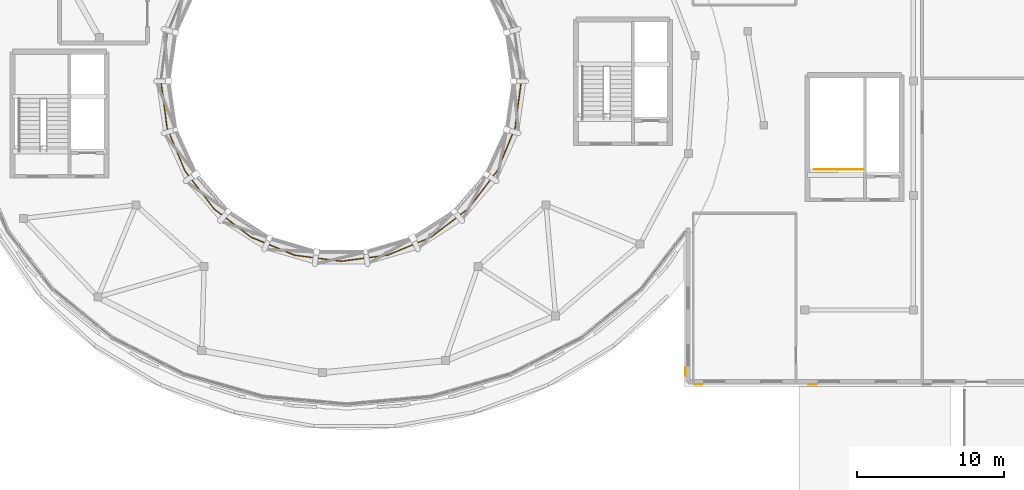
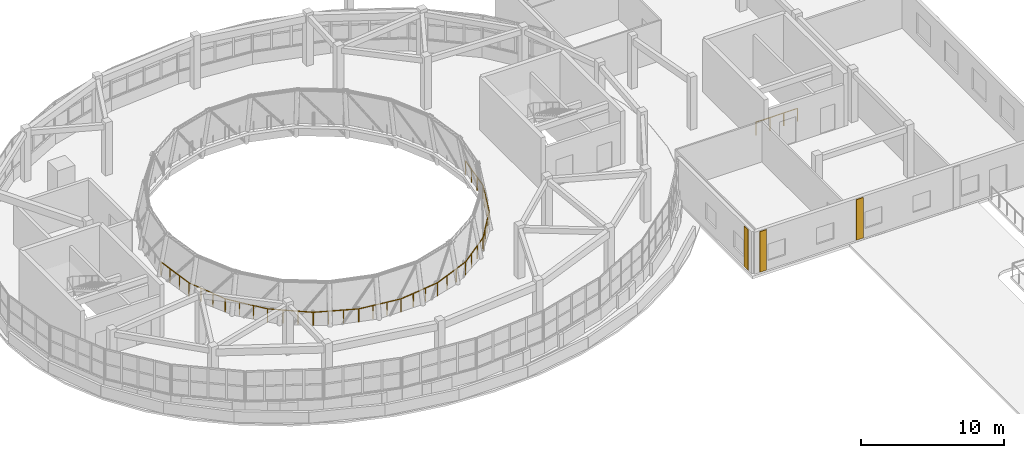
# One storey, part 41 of 46: 3 coverings, 2 railings.
"""IFC4 building model written with IfcOpenShell, lengths in metres."""

import ifcopenshell
import ifcopenshell.guid

model = None  # the IFC model being written
_history = None  # IfcOwnerHistory: only IFC2X3 demands one
_inside = {}  # id of a spatial element -> (the spatial element, [elements in it])
_under = {}  # id of a project, library or spatial element -> (it, [spatial elements below it])
_declared = {}  # id of a project -> (the project, [libraries it declares])
_typed = {}  # id of a type object -> (the type object, [elements of that type])
_made_of = {}  # id of a material, layer set ... -> (it, [elements and type objects made of it])


def new_model(schema):
    """Start an empty IFC model of exactly this schema.

    Asked for "IFC4X3", IfcOpenShell would pick the latest addendum, in which some entities
    have other attributes; the version numbers below select the first issue.
    IFC2X3 requires an IfcOwnerHistory on every rooted entity: one is made here for all.
    """
    global model, _history
    if schema == "IFC4X3":
        model = ifcopenshell.file(schema_version=(4, 3, 0, 0))
    else:
        model = ifcopenshell.file(schema=schema)
    _inside.clear()
    _under.clear()
    _declared.clear()
    _typed.clear()
    _made_of.clear()
    _history = None
    if model.schema == "IFC2X3":
        org = make("IfcOrganization", Name="unknown")
        user = make(
            "IfcPersonAndOrganization",
            ThePerson=make("IfcPerson", FamilyName="unknown"),
            TheOrganization=org,
        )
        app = make(
            "IfcApplication",
            ApplicationDeveloper=org,
            Version="unknown",
            ApplicationFullName="unknown",
            ApplicationIdentifier="unknown",
        )
        _history = make(
            "IfcOwnerHistory",
            OwningUser=user,
            OwningApplication=app,
            ChangeAction="ADDED",
            CreationDate=0,
        )
    return model


def make(cls, **values):
    """One entity of the class cls with the attributes given. An attribute that is None is left unset."""
    return model.create_entity(
        cls, **{name: value for name, value in values.items() if value is not None}
    )


def rooted(cls, **values):
    """An entity with a GlobalId (a new one), such as an element, a storey or a relation."""
    return make(cls, GlobalId=ifcopenshell.guid.new(), OwnerHistory=_history, **values)


def si_unit(unit_type, name, prefix=None):
    """IfcSIUnit, for example si_unit("LENGTHUNIT", "METRE", prefix="MILLI")."""
    return make("IfcSIUnit", UnitType=unit_type, Prefix=prefix, Name=name)


def assignment(units):
    """IfcUnitAssignment: the units of a project."""
    return None if units is None else make("IfcUnitAssignment", Units=units)


def point(xyz):
    """IfcCartesianPoint."""
    return None if xyz is None else make("IfcCartesianPoint", Coordinates=xyz)


def direction(xyz):
    """IfcDirection."""
    return None if xyz is None else make("IfcDirection", DirectionRatios=xyz)


def frame(location, z_axis=None, x_axis=None):
    """IfcAxis2Placement3D, a coordinate frame: its origin and axes. An axis left out is left unset."""
    return make(
        "IfcAxis2Placement3D",
        Location=point(location),
        Axis=direction(z_axis),
        RefDirection=direction(x_axis),
    )


def frame_2d(location, x_axis=None):
    """IfcAxis2Placement2D, a coordinate frame in the plane: its origin and x axis."""
    return make(
        "IfcAxis2Placement2D", Location=point(location), RefDirection=direction(x_axis)
    )


def origin():
    """The frame at (0, 0, 0) with its axes left unset."""
    return frame((0.0, 0.0, 0.0))


def origin_2d():
    """The frame at (0, 0) in the plane with its x axis left unset."""
    return frame_2d((0.0, 0.0))


def place(relative_to, where):
    """IfcLocalPlacement: puts the frame where relative to a parent placement (None: the world)."""
    return make(
        "IfcLocalPlacement", PlacementRelTo=relative_to, RelativePlacement=where
    )


def context(
    kind, dimensions, precision=None, world=None, true_north=None, identifier=None
):
    """IfcGeometricRepresentationContext, for example the 3D "Model" context."""
    return make(
        "IfcGeometricRepresentationContext",
        ContextIdentifier=identifier,
        ContextType=kind,
        CoordinateSpaceDimension=dimensions,
        Precision=precision,
        WorldCoordinateSystem=world,
        TrueNorth=true_north,
    )


def subcontext(parent, identifier, kind, view, scale=None):
    """IfcGeometricRepresentationSubContext, for example "Body" below "Model"."""
    return make(
        "IfcGeometricRepresentationSubContext",
        ContextIdentifier=identifier,
        ContextType=kind,
        ParentContext=parent,
        TargetScale=scale,
        TargetView=view,
    )


def project(units=None, contexts=None):
    """IfcProject with its units and contexts."""
    return rooted(
        "IfcProject",
        Name="project",
        RepresentationContexts=contexts,
        UnitsInContext=assignment(units),
    )


def spatial(cls, under=None, at=None, **own):
    """A site, building, storey or space (cls), placed at a placement, below another one or the project."""
    s = rooted(cls, ObjectPlacement=at, **own)
    if under is not None:
        _under.setdefault(under.id(), (under, []))[1].append(s)
    return s


def profile(cls, at=None, kind="AREA", **sizes):
    """A parametric profile (cls). Its sizes go by their IFC names, for example OverallWidth=200.0."""
    return make(cls, ProfileType=kind, Position=at, **sizes)


def rectangle(**sizes):
    """IfcRectangleProfileDef."""
    return profile("IfcRectangleProfileDef", **sizes)


def circle(**sizes):
    """IfcCircleProfileDef."""
    return profile("IfcCircleProfileDef", **sizes)


def extrude(swept, where, along, depth):
    """IfcExtrudedAreaSolid: the profile swept, set in the frame where, extruded along a direction by depth."""
    return make(
        "IfcExtrudedAreaSolid",
        SweptArea=swept,
        Position=where,
        ExtrudedDirection=direction(along),
        Depth=depth,
    )


def shape(context_of_items, identifier, shape_type, items):
    """IfcShapeRepresentation: the items that make up one representation, for example the "Body"."""
    return make(
        "IfcShapeRepresentation",
        ContextOfItems=context_of_items,
        RepresentationIdentifier=identifier,
        RepresentationType=shape_type,
        Items=items,
    )


def material(Name=None, Category=None):
    """IfcMaterial."""
    return make("IfcMaterial", Name=Name, Category=Category)


def layer(
    of_material, thickness, ventilated=None, Name=None, Category=None, Priority=None
):
    """IfcMaterialLayer: one layer of a wall or slab, of a material (None: an air gap)."""
    return make(
        "IfcMaterialLayer",
        Material=of_material,
        LayerThickness=thickness,
        IsVentilated=ventilated,
        Name=Name,
        Category=Category,
        Priority=Priority,
    )


def layer_set(layers, Name=None):
    """IfcMaterialLayerSet."""
    return make("IfcMaterialLayerSet", MaterialLayers=layers, LayerSetName=Name)


def made_of(thing, what):
    """Note that an element or type object is made of a material, layer set ...; save() writes the relation."""
    if what is not None:
        _made_of.setdefault(what.id(), (what, []))[1].append(thing)
    return thing


def type_object(cls, material=None, **own):
    """A type object (cls), such as IfcWallType, which elements share."""
    return made_of(rooted(cls, **own), material)


def element(
    cls,
    number,
    at=None,
    inside=None,
    cuts=None,
    type_object=None,
    material=None,
    context=None,
    identifier="Body",
    shape_type=None,
    held_by="IfcProductDefinitionShape",
    body=None,
    shapes=None,
    **own,
):
    """One element of the class cls, such as IfcWall. Its Tag is "e" and its number.

    at: its placement. inside: the storey or other place that contains it. cuts: it is an
    opening in that element (IfcRelVoidsElement). A single representation is given by context,
    identifier, shape_type and body (its items); several are given by shapes. held_by: the class
    of the entity that holds the representations. save() writes the other relations.
    """
    e = rooted(cls, Tag="e%d" % number, ObjectPlacement=at, **own)
    if body is not None:
        shapes = [shape(context, identifier, shape_type, body)]
    if shapes is not None:
        e.Representation = make(held_by, Representations=shapes)
    if inside is not None:
        _inside.setdefault(inside.id(), (inside, []))[1].append(e)
    if cuts is not None:
        rooted(
            "IfcRelVoidsElement", RelatingBuildingElement=cuts, RelatedOpeningElement=e
        )
    if type_object is not None:
        _typed.setdefault(type_object.id(), (type_object, []))[1].append(e)
    return made_of(e, material)


def aggregate(whole, parts):
    """IfcRelAggregates: a whole, such as a stair, and the parts it consists of."""
    return rooted("IfcRelAggregates", RelatingObject=whole, RelatedObjects=parts)


def save(model, path):
    """Write the relations noted so far, then the file.

    IfcRelAggregates (storeys below a building ...), IfcRelContainedInSpatialStructure (elements
    in a storey), IfcRelDefinesByType, IfcRelAssociatesMaterial and IfcRelDeclares: one each for
    every whole, place, type object, material and project.
    """
    for whole, parts in _under.values():
        aggregate(whole, parts)
    for where, things in _inside.values():
        rooted(
            "IfcRelContainedInSpatialStructure",
            RelatedElements=things,
            RelatingStructure=where,
        )
    for kind, things in _typed.values():
        rooted("IfcRelDefinesByType", RelatedObjects=things, RelatingType=kind)
    for what, things in _made_of.values():
        rooted("IfcRelAssociatesMaterial", RelatedObjects=things, RelatingMaterial=what)
    for by, libraries in _declared.values():
        rooted("IfcRelDeclares", RelatingContext=by, RelatedDefinitions=libraries)
    model.write(path)


model = new_model("IFC4")

# Units and contexts
model_context = context("Model", 3, precision=1e-05, world=origin(), true_north=direction((0.0, 1.0)))
body_context = subcontext(model_context, "Body", "Model", "MODEL_VIEW")
ifc_project = project(units=[si_unit("LENGTHUNIT", "METRE"), si_unit("AREAUNIT", "SQUARE_METRE"), si_unit("VOLUMEUNIT", "CUBIC_METRE"), si_unit("PLANEANGLEUNIT", "RADIAN"), si_unit("MASSUNIT", "GRAM", prefix="KILO")], contexts=[model_context])

# Site, building, storey
site_placement = place(None, origin())
site = spatial("IfcSite", under=ifc_project, at=site_placement, CompositionType="ELEMENT")
building_placement = place(site_placement, origin())
building = spatial("IfcBuilding", under=site, at=building_placement, Name="Pelvatis Terrace Science Centre", CompositionType="ELEMENT")
storey_placement = place(building_placement, frame((0.0, 0.0, 19.800048828125)))
storey = spatial("IfcBuildingStorey", under=building, at=storey_placement, Name="L04", CompositionType="ELEMENT", Elevation=19.800048828125)

# Coverings
ifc_material_1 = material(Name="Fluted warm stone-aggregate precast facade relief panel", Category="masonry")
ifc_layer = layer(ifc_material_1, 0.054931640625)
ifc_layer_set = layer_set([ifc_layer], Name="Fluted warm stone-aggregate precast facade relief panel")
covering_type = type_object("IfcCoveringType", Name="COV-CLAD-PREC-55", PredefinedType="CLADDING", material=ifc_layer_set)
for number, where, z_axis, x_axis, name in (
    (1, (133.530029296875, 65.12744140625, 0.06005859375), (0.0, 0.0, 1.0), (1.0, 0.0, 0.0), "Classical fluted stone pilaster strip 83"),
    (2, (141.330078125, 65.12744140625, 0.06005859375), (0.0, 0.0, 1.0), (1.0, 0.0, 0.0), "Classical fluted stone pilaster strip 84"),
):
    element("IfcCovering", number, at=place(storey_placement, frame(where, z_axis=z_axis, x_axis=x_axis)), inside=storey, type_object=covering_type, Name=name, PredefinedType="CLADDING", context=body_context, shape_type="SweptSolid", body=[
        extrude(rectangle(XDim=0.550048828125, YDim=0.054931640625, at=origin_2d()), origin(), (0.0, 0.0, 1.0), 3.449951171875),
    ])
covering_placement = place(storey_placement, frame((132.677490234375, 65.97998046875, 0.06005859375), z_axis=(0.0, 0.0, 1.0), x_axis=(1.0, 0.0, 0.0)))
element("IfcCovering", 3, at=covering_placement, inside=storey, type_object=covering_type, Name="Classical fluted stone pilaster strip 86", PredefinedType="CLADDING", context=body_context, shape_type="SweptSolid", body=[
    extrude(rectangle(XDim=0.054931640625, YDim=0.550048828125, at=origin_2d()), origin(), (0.0, 0.0, 1.0), 3.449951171875),
])

# Railings
ifc_material_2 = material(Name="Brushed architectural bronze tubular railing", Category="steel")
railing_type_1 = type_object("IfcRailingType", Name="RLG-ATR-1140", PredefinedType="BALUSTRADE", material=ifc_material_2)
railing_1_placement = place(storey_placement, frame((96.919921875, 85.800048828125, 0.0)))
element("IfcRailing", 4, at=railing_1_placement, inside=storey, type_object=railing_type_1, Name="Atrium overlook balustrade RLG-ATR-L04-V1 B", PredefinedType="BALUSTRADE", context=body_context, shape_type="SweptSolid", body=[
    extrude(circle(Radius=0.02392578125, at=origin_2d()), frame((0.0, 0.0, 1.11572265625), z_axis=(0.130527399944, -0.991444702373, 0.0), x_axis=(0.991444702373, 0.130527399944, 0.0)), (0.0, 0.0, 1.0), 3.205810546875),
    extrude(circle(Radius=0.02392578125, at=origin_2d()), frame((0.41845703125, -3.178466796875, 1.11572265625), z_axis=(0.38269482609, -0.923874812994, 0.0), x_axis=(0.923874812994, 0.38269482609, 0.0)), (0.0, 0.0, 1.0), 3.205810546875),
    extrude(circle(Radius=0.02392578125, at=origin_2d()), frame((1.645263671875, -6.14013671875, 1.11572265625), z_axis=(0.608749673403, -0.793362360546, 0.0), x_axis=(0.793362360546, 0.608749673403, 0.0)), (0.0, 0.0, 1.0), 3.20556640625),
    extrude(circle(Radius=0.02392578125, at=origin_2d()), frame((3.5966796875, -8.683349609375, 1.11572265625), z_axis=(0.793390581198, -0.60871289264, 0.0), x_axis=(0.60871289264, 0.793390581198, 0.0)), (0.0, 0.0, 1.0), 3.205810546875),
    extrude(circle(Radius=0.02392578125, at=origin_2d()), frame((6.14013671875, -10.634765625, 1.11572265625), z_axis=(0.923874812994, -0.38269482609, 0.0), x_axis=(0.38269482609, 0.923874812994, 0.0)), (0.0, 0.0, 1.0), 3.205810546875),
    extrude(circle(Radius=0.02392578125, at=origin_2d()), frame((9.101806640625, -11.861572265625, 1.11572265625), z_axis=(0.991443404765, -0.130537255782, 0.0), x_axis=(0.130537255782, 0.991443404765, 0.0)), (0.0, 0.0, 1.0), 3.20556640625),
    extrude(circle(Radius=0.02392578125, at=origin_2d()), frame((12.280029296875, -12.280029296875, 1.11572265625), z_axis=(0.991444702373, 0.130527399944, 0.0), x_axis=(-0.130527399944, 0.991444702373, 0.0)), (0.0, 0.0, 1.0), 3.205810546875),
    extrude(circle(Radius=0.02392578125, at=origin_2d()), frame((15.45849609375, -11.861572265625, 1.11572265625), z_axis=(0.923874812994, 0.38269482609, 0.0), x_axis=(-0.38269482609, 0.923874812994, 0.0)), (0.0, 0.0, 1.0), 3.205810546875),
    extrude(circle(Radius=0.02392578125, at=origin_2d()), frame((18.420166015625, -10.634765625, 1.11572265625), z_axis=(0.793362360546, 0.608749673403, 0.0), x_axis=(-0.608749673403, 0.793362360546, 0.0)), (0.0, 0.0, 1.0), 3.20556640625),
    extrude(circle(Radius=0.02392578125, at=origin_2d()), frame((20.96337890625, -8.683349609375, 1.11572265625), z_axis=(0.608749673403, 0.793362360546, 0.0), x_axis=(-0.793362360546, 0.608749673403, 0.0)), (0.0, 0.0, 1.0), 3.20556640625),
    extrude(circle(Radius=0.02392578125, at=origin_2d()), frame((22.914794921875, -6.14013671875, 1.11572265625), z_axis=(0.38269482609, 0.923874812994, 0.0), x_axis=(-0.923874812994, 0.38269482609, 0.0)), (0.0, 0.0, 1.0), 3.205810546875),
    extrude(circle(Radius=0.02392578125, at=origin_2d()), frame((24.1416015625, -3.178466796875, 1.11572265625), z_axis=(0.130527399944, 0.991444702373, 0.0), x_axis=(-0.991444702373, 0.130527399944, 0.0)), (0.0, 0.0, 1.0), 3.205810546875),
    extrude(circle(Radius=0.02099609375, at=origin_2d()), origin(), (0.0, 0.0, 1.0), 1.091796875),
    extrude(circle(Radius=0.02099609375, at=origin_2d()), frame((0.139404296875, -1.0595703125, 0.0)), (0.0, 0.0, 1.0), 1.091796875),
    extrude(circle(Radius=0.02099609375, at=origin_2d()), frame((0.279052734375, -2.118896484375, 0.0)), (0.0, 0.0, 1.0), 1.091796875),
    extrude(circle(Radius=0.02099609375, at=origin_2d()), frame((0.41845703125, -3.178466796875, 0.0)), (0.0, 0.0, 1.0), 1.091796875),
    extrude(circle(Radius=0.02099609375, at=origin_2d()), frame((0.827392578125, -4.165771484375, 0.0)), (0.0, 0.0, 1.0), 1.091796875),
    extrude(circle(Radius=0.02099609375, at=origin_2d()), frame((1.236328125, -5.15283203125, 0.0)), (0.0, 0.0, 1.0), 1.091796875),
    extrude(circle(Radius=0.02099609375, at=origin_2d()), frame((1.645263671875, -6.14013671875, 0.0)), (0.0, 0.0, 1.0), 1.091796875),
    extrude(circle(Radius=0.02099609375, at=origin_2d()), frame((2.295654296875, -6.98779296875, 0.0)), (0.0, 0.0, 1.0), 1.091796875),
    extrude(circle(Radius=0.02099609375, at=origin_2d()), frame((2.9462890625, -7.835693359375, 0.0)), (0.0, 0.0, 1.0), 1.091796875),
    extrude(circle(Radius=0.02099609375, at=origin_2d()), frame((3.5966796875, -8.683349609375, 0.0)), (0.0, 0.0, 1.0), 1.091796875),
    extrude(circle(Radius=0.02099609375, at=origin_2d()), frame((4.444580078125, -9.333740234375, 0.0)), (0.0, 0.0, 1.0), 1.091796875),
    extrude(circle(Radius=0.02099609375, at=origin_2d()), frame((5.292236328125, -9.984375, 0.0)), (0.0, 0.0, 1.0), 1.091796875),
    extrude(circle(Radius=0.02099609375, at=origin_2d()), frame((6.14013671875, -10.634765625, 0.0)), (0.0, 0.0, 1.0), 1.091796875),
    extrude(circle(Radius=0.02099609375, at=origin_2d()), frame((7.12744140625, -11.043701171875, 0.0)), (0.0, 0.0, 1.0), 1.091796875),
    extrude(circle(Radius=0.02099609375, at=origin_2d()), frame((8.114501953125, -11.45263671875, 0.0)), (0.0, 0.0, 1.0), 1.091796875),
    extrude(circle(Radius=0.02099609375, at=origin_2d()), frame((9.101806640625, -11.861572265625, 0.0)), (0.0, 0.0, 1.0), 1.091796875),
    extrude(circle(Radius=0.02099609375, at=origin_2d()), frame((10.1611328125, -12.0009765625, 0.0)), (0.0, 0.0, 1.0), 1.091796875),
    extrude(circle(Radius=0.02099609375, at=origin_2d()), frame((11.220703125, -12.140625, 0.0)), (0.0, 0.0, 1.0), 1.091796875),
    extrude(circle(Radius=0.02099609375, at=origin_2d()), frame((12.280029296875, -12.280029296875, 0.0)), (0.0, 0.0, 1.0), 1.091796875),
    extrude(circle(Radius=0.02099609375, at=origin_2d()), frame((13.339599609375, -12.140625, 0.0)), (0.0, 0.0, 1.0), 1.091796875),
    extrude(circle(Radius=0.02099609375, at=origin_2d()), frame((14.39892578125, -12.0009765625, 0.0)), (0.0, 0.0, 1.0), 1.091796875),
    extrude(circle(Radius=0.02099609375, at=origin_2d()), frame((15.45849609375, -11.861572265625, 0.0)), (0.0, 0.0, 1.0), 1.091796875),
    extrude(circle(Radius=0.02099609375, at=origin_2d()), frame((16.44580078125, -11.45263671875, 0.0)), (0.0, 0.0, 1.0), 1.091796875),
    extrude(circle(Radius=0.02099609375, at=origin_2d()), frame((17.432861328125, -11.043701171875, 0.0)), (0.0, 0.0, 1.0), 1.091796875),
    extrude(circle(Radius=0.02099609375, at=origin_2d()), frame((18.420166015625, -10.634765625, 0.0)), (0.0, 0.0, 1.0), 1.091796875),
    extrude(circle(Radius=0.02099609375, at=origin_2d()), frame((19.267822265625, -9.984375, 0.0)), (0.0, 0.0, 1.0), 1.091796875),
    extrude(circle(Radius=0.02099609375, at=origin_2d()), frame((20.11572265625, -9.333740234375, 0.0)), (0.0, 0.0, 1.0), 1.091796875),
    extrude(circle(Radius=0.02099609375, at=origin_2d()), frame((20.96337890625, -8.683349609375, 0.0)), (0.0, 0.0, 1.0), 1.091796875),
    extrude(circle(Radius=0.02099609375, at=origin_2d()), frame((21.61376953125, -7.835693359375, 0.0)), (0.0, 0.0, 1.0), 1.091796875),
    extrude(circle(Radius=0.02099609375, at=origin_2d()), frame((22.264404296875, -6.98779296875, 0.0)), (0.0, 0.0, 1.0), 1.091796875),
    extrude(circle(Radius=0.02099609375, at=origin_2d()), frame((22.914794921875, -6.14013671875, 0.0)), (0.0, 0.0, 1.0), 1.091796875),
    extrude(circle(Radius=0.02099609375, at=origin_2d()), frame((23.32373046875, -5.15283203125, 0.0)), (0.0, 0.0, 1.0), 1.091796875),
    extrude(circle(Radius=0.02099609375, at=origin_2d()), frame((23.732666015625, -4.165771484375, 0.0)), (0.0, 0.0, 1.0), 1.091796875),
    extrude(circle(Radius=0.02099609375, at=origin_2d()), frame((24.1416015625, -3.178466796875, 0.0)), (0.0, 0.0, 1.0), 1.091796875),
    extrude(circle(Radius=0.02099609375, at=origin_2d()), frame((24.281005859375, -2.118896484375, 0.0)), (0.0, 0.0, 1.0), 1.091796875),
    extrude(circle(Radius=0.02099609375, at=origin_2d()), frame((24.420654296875, -1.0595703125, 0.0)), (0.0, 0.0, 1.0), 1.091796875),
    extrude(circle(Radius=0.02099609375, at=origin_2d()), frame((24.56005859375, 0.0, 0.0)), (0.0, 0.0, 1.0), 1.091796875),
])
ifc_material_3 = material(Name="Brushed architectural bronze tubular railing", Category="steel")
railing_type_2 = type_object("IfcRailingType", Name="RLG-GRD-1120", PredefinedType="GUARDRAIL", material=ifc_material_3)
railing_2_placement = place(storey_placement, frame((141.419921875, 79.780029296875, 0.0)))
element("IfcRailing", 5, at=railing_2_placement, inside=storey, type_object=railing_type_2, Name="Core C3 top-storey stair well guard", PredefinedType="GUARDRAIL", context=body_context, shape_type="SweptSolid", body=[
    extrude(circle(Radius=0.02392578125, at=origin_2d()), frame((0.0, 0.0, 1.09619140625), z_axis=(1.0, 0.0, 0.0), x_axis=(0.0, 1.0, 0.0)), (0.0, 0.0, 1.0), 3.360107421875),
    extrude(circle(Radius=0.02099609375, at=origin_2d()), origin(), (0.0, 0.0, 1.0), 1.072021484375),
    extrude(circle(Radius=0.02099609375, at=origin_2d()), frame((1.1201171875, 0.0, 0.0)), (0.0, 0.0, 1.0), 1.072021484375),
    extrude(circle(Radius=0.02099609375, at=origin_2d()), frame((2.239990234375, 0.0, 0.0)), (0.0, 0.0, 1.0), 1.072021484375),
    extrude(circle(Radius=0.02099609375, at=origin_2d()), frame((3.360107421875, 0.0, 0.0)), (0.0, 0.0, 1.0), 1.072021484375),
])

save(model, "model.ifc")
